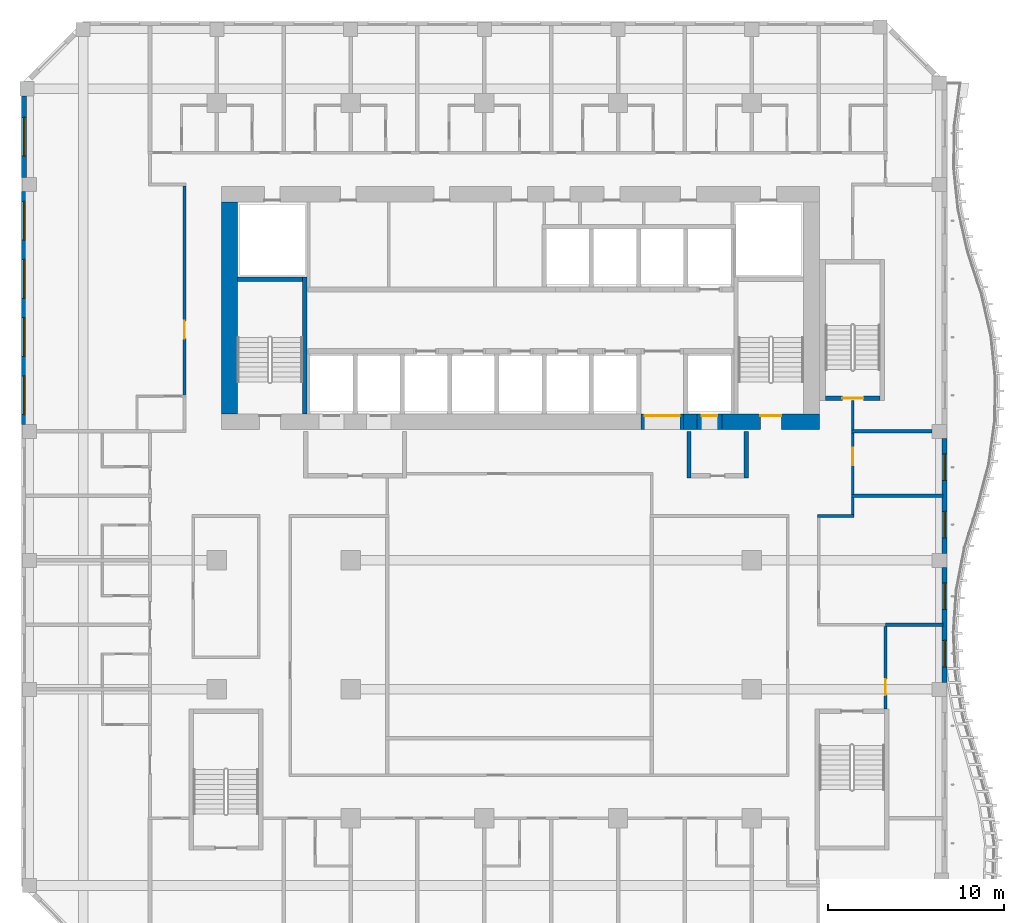
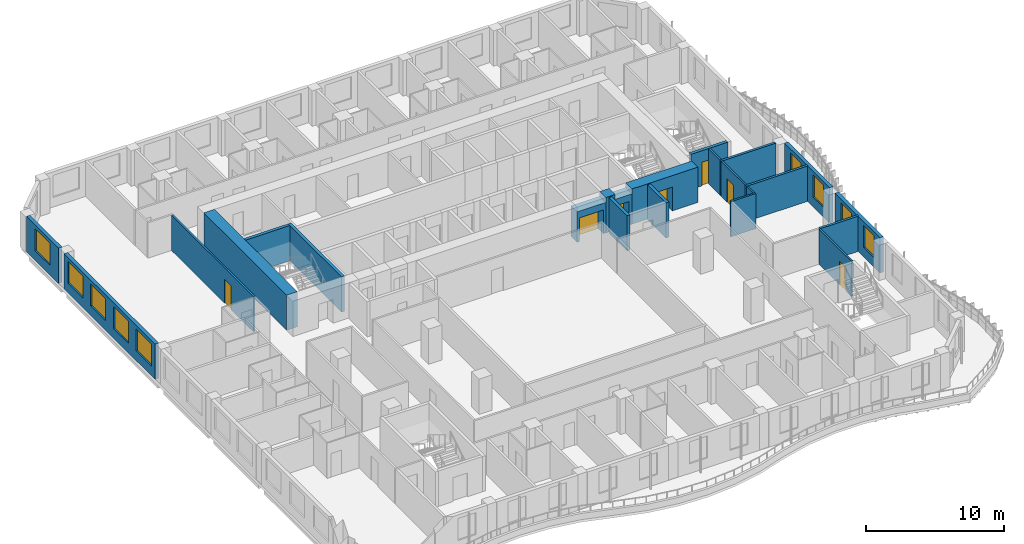
# One storey, part 6 of 23: 23 walls, 9 windows, 7 doors, 16 openings.
"""IFC4 building model written with IfcOpenShell, lengths in metres."""

from ifc_helpers import new_model, si_unit, direction, frame, frame_2d, origin, place, context, subcontext, project, spatial, rectangle, extrude, source, transform, mapped, material, layer, layer_set, type_object, element, fill, save


model = new_model("IFC4")

# Units and contexts
model_context = context("Model", 3, precision=1e-05, world=origin(), true_north=direction((0.0, 1.0)))
body_context = subcontext(model_context, "Body", "Model", "MODEL_VIEW")
ifc_project = project(units=[si_unit("LENGTHUNIT", "METRE"), si_unit("AREAUNIT", "SQUARE_METRE"), si_unit("VOLUMEUNIT", "CUBIC_METRE"), si_unit("PLANEANGLEUNIT", "RADIAN"), si_unit("MASSUNIT", "GRAM", prefix="KILO")], contexts=[model_context])

# Site, building, storey
site_placement = place(None, origin())
site = spatial("IfcSite", under=ifc_project, at=site_placement, CompositionType="ELEMENT")
building_placement = place(site_placement, origin())
building = spatial("IfcBuilding", under=site, at=building_placement, Name="Kilnfold Tower and Market Hall", CompositionType="ELEMENT")
storey_placement = place(building_placement, frame((0.0, 0.0, 150.699951171875)))
storey = spatial("IfcBuildingStorey", under=building, at=storey_placement, Name="L34", CompositionType="ELEMENT", Elevation=150.699951171875)

# Wall, opening, door
ifc_material_1 = material(Name="Gypsum board on steel studs", Category="steel")
ifc_layer_1 = layer(ifc_material_1, 0.14990234375)
ifc_layer_set_1 = layer_set([ifc_layer_1], Name="Gypsum board on steel studs")
wall_type_1 = type_object("IfcWallType", Name="WALL CORRIDOR 150", PredefinedType="PARTITIONING", material=ifc_layer_set_1)
wall_1_placement = place(storey_placement, frame((-18.0, 10.0400390625, 0.0), z_axis=(0.0, 0.0, 1.0), x_axis=(0.0, 1.0, 0.0)))
wall_1 = element("IfcWall", 1, at=wall_1_placement, inside=storey, type_object=wall_type_1, Name="Partition LY22.20", PredefinedType="PARTITIONING", context=body_context, shape_type="SweptSolid", body=[
    extrude(rectangle(XDim=11.885009765625, YDim=0.14990234375, at=frame_2d((5.9423828125, 0.0))), origin(), (0.0, 0.0, 1.0), 3.1201171875),
])
opening_1_placement = place(wall_1_placement, frame((3.22509765625, 0.0, 0.0)))
opening_1 = element("IfcOpeningElement", 2, at=opening_1_placement, cuts=wall_1, Name="Opening D1", PredefinedType="OPENING", context=body_context, shape_type="SweptSolid", body=[
    extrude(rectangle(XDim=1.0, YDim=2.10009765625, at=frame_2d((0.5, 1.050048828125))), frame((0.0, 0.0849609375, 0.0), z_axis=(0.0, -1.0, 0.0), x_axis=(1.0, 0.0, 0.0)), (0.0, 0.0, 1.0), 0.169921875),
])
ifc_material_2 = material(Name="Timber veneer door leaf in steel frame", Category="steel")
door_type_1 = type_object("IfcDoorType", Name="DOOR ENTRY 1000 X2100", OperationType="NOTDEFINED", PredefinedType="DOOR", material=ifc_material_2)
door_1_placement = place(opening_1_placement, origin())
door_1 = element("IfcDoor", 3, at=door_1_placement, inside=storey, type_object=door_type_1, Name="Door D1", OperationType="SINGLE_SWING_LEFT", OverallHeight=2.10009765625, OverallWidth=1.0, PredefinedType="DOOR", context=body_context, shape_type="SweptSolid", body=[
    extrude(rectangle(XDim=1.0, YDim=2.10009765625, at=frame_2d((0.5, 1.050048828125))), frame((0.0, 0.02490234375, 0.0), z_axis=(0.0, -1.0, 0.0), x_axis=(1.0, 0.0, 0.0)), (0.0, 0.0, 1.0), 0.050048828125),
])
fill(opening_1, door_1)

wall_2_placement = place(storey_placement, frame((19.89990234375, 4.43408203125, 0.0), z_axis=(0.0, 0.0, 1.0), x_axis=(0.0, 1.0, 0.0)))
wall_2 = element("IfcWall", 4, at=wall_2_placement, inside=storey, type_object=wall_type_1, Name="Partition LY22.27", PredefinedType="PARTITIONING", context=body_context, shape_type="SweptSolid", body=[
    extrude(rectangle(XDim=3.475830078125, YDim=0.14990234375, at=frame_2d((1.73779296875, 0.0))), origin(), (0.0, 0.0, 1.0), 3.1201171875),
])
opening_2_placement = place(wall_2_placement, frame((1.653076171875, 0.0, 0.0)))
opening_2 = element("IfcOpeningElement", 5, at=opening_2_placement, cuts=wall_2, Name="Opening D4", PredefinedType="OPENING", context=body_context, shape_type="SweptSolid", body=[
    extrude(rectangle(XDim=1.0, YDim=2.10009765625, at=frame_2d((0.5, 1.050048828125))), frame((0.0, 0.0849609375, 0.0), z_axis=(0.0, -1.0, 0.0), x_axis=(1.0, 0.0, 0.0)), (0.0, 0.0, 1.0), 0.169921875),
])
ifc_material_3 = material(Name="Timber veneer door leaf in steel frame", Category="steel")
door_type_2 = type_object("IfcDoorType", Name="DOOR SERVICE 1000 X2100", OperationType="NOTDEFINED", PredefinedType="DOOR", material=ifc_material_3)
door_2_placement = place(opening_2_placement, origin())
door_2 = element("IfcDoor", 6, at=door_2_placement, inside=storey, type_object=door_type_2, Name="Door D4", OperationType="SINGLE_SWING_LEFT", OverallHeight=2.10009765625, OverallWidth=1.0, PredefinedType="DOOR", context=body_context, shape_type="SweptSolid", body=[
    extrude(rectangle(XDim=1.0, YDim=2.10009765625, at=frame_2d((0.5, 1.050048828125))), frame((0.0, 0.02490234375, 0.0), z_axis=(0.0, -1.0, 0.0), x_axis=(1.0, 0.0, 0.0)), (0.0, 0.0, 1.0), 0.050048828125),
])
fill(opening_2, door_2)

# Walls
wall_3_placement = place(storey_placement, frame((19.89990234375, 8.090087890625, 0.0), z_axis=(0.0, 0.0, 1.0), x_axis=(0.0, 1.0, 0.0)))
element("IfcWall", 7, at=wall_3_placement, inside=storey, type_object=wall_type_1, Name="Partition LY22.30", PredefinedType="PARTITIONING", context=body_context, shape_type="SweptSolid", body=[
    extrude(rectangle(XDim=1.659912109375, YDim=0.14990234375, at=frame_2d((0.830078125, 0.0))), origin(), (0.0, 0.0, 1.0), 3.1201171875),
])
wall_4_placement = place(storey_placement, frame((19.89990234375, 3.27490234375, 0.0), z_axis=(0.0, 0.0, 1.0), x_axis=(0.0, 1.0, 0.0)))
element("IfcWall", 8, at=wall_4_placement, inside=storey, type_object=wall_type_1, Name="Partition LY22.31", PredefinedType="PARTITIONING", context=body_context, shape_type="SweptSolid", body=[
    extrude(rectangle(XDim=0.97900390625, YDim=0.14990234375, at=frame_2d((0.489501953125, 0.0))), origin(), (0.0, 0.0, 1.0), 3.1201171875),
])
wall_5_placement = place(storey_placement, frame((17.884033203125, 3.199951171875, 0.0), z_axis=(0.0, 0.0, 1.0), x_axis=(1.0, 0.0, 0.0)))
element("IfcWall", 9, at=wall_5_placement, inside=storey, type_object=wall_type_1, Name="Partition LY22.32", PredefinedType="PARTITIONING", context=body_context, shape_type="SweptSolid", body=[
    extrude(rectangle(XDim=2.091064453125, YDim=0.14990234375, at=frame_2d((1.04541015625, 0.0))), origin(), (0.0, 0.0, 1.0), 3.1201171875),
])

# Wall, opening, door
wall_6_placement = place(storey_placement, frame((21.75, -7.75, 0.0), z_axis=(0.0, 0.0, 1.0), x_axis=(0.0, 1.0, 0.0)))
wall_6 = element("IfcWall", 10, at=wall_6_placement, inside=storey, type_object=wall_type_1, Name="Partition LY22.35", PredefinedType="PARTITIONING", context=body_context, shape_type="SweptSolid", body=[
    extrude(rectangle(XDim=4.681884765625, YDim=0.14990234375, at=frame_2d((2.3408203125, 0.0))), origin(), (0.0, 0.0, 1.0), 3.1201171875),
])
opening_3_placement = place(wall_6_placement, frame((0.801025390625, 0.0, 0.0)))
opening_3 = element("IfcOpeningElement", 11, at=opening_3_placement, cuts=wall_6, Name="Opening D2", PredefinedType="OPENING", context=body_context, shape_type="SweptSolid", body=[
    extrude(rectangle(XDim=0.89990234375, YDim=2.10009765625, at=frame_2d((0.449951171875, 1.050048828125))), frame((0.0, 0.0849609375, 0.0), z_axis=(0.0, -1.0, 0.0), x_axis=(1.0, 0.0, 0.0)), (0.0, 0.0, 1.0), 0.169921875),
])
ifc_material_4 = material(Name="Timber veneer door leaf in steel frame", Category="steel")
door_type_3 = type_object("IfcDoorType", Name="DOOR ROOM 900 X2100", OperationType="NOTDEFINED", PredefinedType="DOOR", material=ifc_material_4)
door_3_placement = place(opening_3_placement, origin())
door_3 = element("IfcDoor", 12, at=door_3_placement, inside=storey, type_object=door_type_3, Name="Door D2", OperationType="SINGLE_SWING_LEFT", OverallHeight=2.10009765625, OverallWidth=0.89990234375, PredefinedType="DOOR", context=body_context, shape_type="SweptSolid", body=[
    extrude(rectangle(XDim=0.89990234375, YDim=2.10009765625, at=frame_2d((0.449951171875, 1.050048828125))), frame((0.0, 0.02490234375, 0.0), z_axis=(0.0, -1.0, 0.0), x_axis=(1.0, 0.0, 0.0)), (0.0, 0.0, 1.0), 0.050048828125),
])
fill(opening_3, door_3)

# Walls
ifc_material_5 = material(Name="Gypsum board on steel studs", Category="steel")
ifc_layer_2 = layer(ifc_material_5, 0.199951171875)
ifc_layer_set_2 = layer_set([ifc_layer_2], Name="Gypsum board on steel studs")
wall_type_2 = type_object("IfcWallType", Name="WALL PARTY 200", PredefinedType="PARTITIONING", material=ifc_layer_set_2)
wall_7_placement = place(storey_placement, frame((19.826904296875, 8.0, 0.0), z_axis=(0.0, 0.0, 1.0), x_axis=(1.0, 0.0, 0.0)))
element("IfcWall", 13, at=wall_7_placement, inside=storey, type_object=wall_type_2, Name="Partition LY22.126", PredefinedType="PARTITIONING", context=body_context, shape_type="SweptSolid", body=[
    extrude(rectangle(XDim=4.572998046875, YDim=0.199951171875, at=frame_2d((2.28662109375, 0.0))), origin(), (0.0, 0.0, 1.0), 3.1201171875),
])
wall_8_placement = place(storey_placement, frame((19.826904296875, 4.343994140625, 0.0), z_axis=(0.0, 0.0, 1.0), x_axis=(1.0, 0.0, 0.0)))
element("IfcWall", 14, at=wall_8_placement, inside=storey, type_object=wall_type_2, Name="Partition LY22.127", PredefinedType="PARTITIONING", context=body_context, shape_type="SweptSolid", body=[
    extrude(rectangle(XDim=5.173095703125, YDim=0.199951171875, at=frame_2d((2.58642578125, 0.0))), origin(), (0.0, 0.0, 1.0), 3.1201171875),
])
wall_9_placement = place(storey_placement, frame((21.7509765625, -2.968017578125, 0.0), z_axis=(0.0, 0.0, 1.0), x_axis=(0.999999954829, -0.000300571071, 0.0)))
element("IfcWall", 15, at=wall_9_placement, inside=storey, type_object=wall_type_2, Name="Partition LY22.128", PredefinedType="PARTITIONING", context=body_context, shape_type="SweptSolid", body=[
    extrude(rectangle(XDim=3.2490234375, YDim=0.199951171875, at=frame_2d((1.62451171875, 0.0))), origin(), (0.0, 0.0, 1.0), 3.1201171875),
])
ifc_material_6 = material(Name="Concrete C70", Category="concrete")
ifc_layer_3 = layer(ifc_material_6, 0.89990234375)
ifc_layer_set_3 = layer_set([ifc_layer_3], Name="Concrete C70")
wall_type_3 = type_object("IfcWallType", Name="CORE WALL 900 C70", PredefinedType="SHEAR", material=ifc_layer_set_3)
shared_shape_1 = source(origin(), body_context, "Body", "SweptSolid", [
    extrude(rectangle(XDim=0.780029296875, YDim=0.89990234375, at=frame_2d((0.39013671875, 0.0))), origin(), (0.0, 0.0, 1.0), 3.1201171875),
])
wall_10_placement = place(storey_placement, frame((10.2900390625, 8.550048828125, 0.0), z_axis=(0.0, 0.0, 1.0), x_axis=(1.0, 0.0, 0.0)))
element("IfcWall", 16, at=wall_10_placement, inside=storey, type_object=wall_type_3, Name="Core outer wall south", PredefinedType="SHEAR", context=body_context, shape_type="MappedRepresentation", body=[
    mapped(shared_shape_1, transform((0.0, 0.0, 0.0))),
])

# Wall, opening, door
shared_shape_2 = source(origin(), body_context, "Body", "SweptSolid", [
    extrude(rectangle(XDim=5.530029296875, YDim=0.89990234375, at=frame_2d((2.76513671875, 0.0))), origin(), (0.0, 0.0, 1.0), 3.1201171875),
])
wall_11_placement = place(storey_placement, frame((12.469970703125, 8.550048828125, 0.0), z_axis=(0.0, 0.0, 1.0), x_axis=(1.0, 0.0, 0.0)))
wall_11 = element("IfcWall", 17, at=wall_11_placement, inside=storey, type_object=wall_type_3, Name="Core outer wall south", PredefinedType="SHEAR", context=body_context, shape_type="MappedRepresentation", body=[
    mapped(shared_shape_2, transform((0.0, 0.0, 0.0))),
])
opening_4_placement = place(wall_11_placement, frame((2.179931640625, 0.0, 0.0)))
opening_4 = element("IfcOpeningElement", 18, at=opening_4_placement, cuts=wall_11, Name="Opening SD1", PredefinedType="OPENING", context=body_context, shape_type="SweptSolid", body=[
    extrude(rectangle(XDim=1.199951171875, YDim=2.10009765625, at=frame_2d((0.60009765625, 1.050048828125))), frame((0.0, 0.4599609375, 0.0), z_axis=(0.0, -1.0, 0.0), x_axis=(1.0, 0.0, 0.0)), (0.0, 0.0, 1.0), 0.919921875),
])
ifc_material_7 = material(Name="Steel door set with fire-resisting leaf", Category="steel")
door_type_4 = type_object("IfcDoorType", Name="STAIR FLOOR DOOR 1200X2100", OperationType="NOTDEFINED", PredefinedType="DOOR", material=ifc_material_7)
door_4_placement = place(opening_4_placement, origin())
door_4 = element("IfcDoor", 19, at=door_4_placement, inside=storey, type_object=door_type_4, Name="Exit stair ST2 door", OperationType="DOUBLE_DOOR_SINGLE_SWING", OverallHeight=2.10009765625, OverallWidth=1.199951171875, PredefinedType="DOOR", context=body_context, shape_type="SweptSolid", body=[
    extrude(rectangle(XDim=1.199951171875, YDim=2.10009765625, at=frame_2d((0.60009765625, 1.050048828125))), frame((0.0, 0.35498046875, 0.0), z_axis=(0.0, -1.0, 0.0), x_axis=(1.0, 0.0, 0.0)), (0.0, 0.0, 1.0), 0.050048828125),
])
fill(opening_4, door_4)

# Walls
shared_shape_3 = source(origin(), body_context, "Body", "SweptSolid", [
    extrude(rectangle(XDim=12.0, YDim=0.89990234375, at=frame_2d((6.0, 0.0))), origin(), (0.0, 0.0, 1.0), 3.1201171875),
])
wall_12_placement = place(storey_placement, frame((-15.449951171875, 9.0, 0.0), z_axis=(0.0, 0.0, 1.0), x_axis=(0.0, 1.0, 0.0)))
element("IfcWall", 20, at=wall_12_placement, inside=storey, type_object=wall_type_3, Name="Core outer wall west", PredefinedType="SHEAR", context=body_context, shape_type="MappedRepresentation", body=[
    mapped(shared_shape_3, transform((0.0, 0.0, 0.0))),
])
ifc_material_8 = material(Name="Concrete C70", Category="concrete")
ifc_layer_4 = layer(ifc_material_8, 0.25)
ifc_layer_set_4 = layer_set([ifc_layer_4], Name="Concrete C70")
wall_type_4 = type_object("IfcWallType", Name="CORE WALL 250 C70", PredefinedType="SHEAR", material=ifc_layer_set_4)
shared_shape_4 = source(origin(), body_context, "Body", "SweptSolid", [
    extrude(rectangle(XDim=7.75, YDim=0.25, at=frame_2d((3.875, 0.0))), origin(), (0.0, 0.0, 1.0), 3.1201171875),
])
wall_13_placement = place(storey_placement, frame((-11.175048828125, 9.0, 0.0), z_axis=(0.0, 0.0, 1.0), x_axis=(0.0, 1.0, 0.0)))
element("IfcWall", 21, at=wall_13_placement, inside=storey, type_object=wall_type_4, Name="Stair enclosure ST1", PredefinedType="SHEAR", context=body_context, shape_type="MappedRepresentation", body=[
    mapped(shared_shape_4, transform((0.0, 0.0, 0.0))),
])
shared_shape_5 = source(origin(), body_context, "Body", "SweptSolid", [
    extrude(rectangle(XDim=3.699951171875, YDim=0.25, at=frame_2d((1.85009765625, 0.0))), origin(), (0.0, 0.0, 1.0), 3.1201171875),
])
wall_14_placement = place(storey_placement, frame((-15.0, 16.625, 0.0), z_axis=(0.0, 0.0, 1.0), x_axis=(1.0, 0.0, 0.0)))
element("IfcWall", 22, at=wall_14_placement, inside=storey, type_object=wall_type_4, Name="Stair enclosure ST1", PredefinedType="SHEAR", context=body_context, shape_type="MappedRepresentation", body=[
    mapped(shared_shape_5, transform((0.0, 0.0, 0.0))),
])

# Wall, opening, door
shared_shape_6 = source(origin(), body_context, "Body", "SweptSolid", [
    extrude(rectangle(XDim=3.099853515625, YDim=0.25, at=frame_2d((1.5498046875, 0.0))), origin(), (0.0, 0.0, 1.0), 3.1201171875),
])
wall_15_placement = place(storey_placement, frame((18.35009765625, 9.875, 0.0), z_axis=(0.0, 0.0, 1.0), x_axis=(1.0, 0.0, 0.0)))
wall_15 = element("IfcWall", 23, at=wall_15_placement, inside=storey, type_object=wall_type_4, Name="Stair enclosure ST5", PredefinedType="SHEAR", context=body_context, shape_type="MappedRepresentation", body=[
    mapped(shared_shape_6, transform((0.0, 0.0, 0.0))),
])
opening_5_placement = place(wall_15_placement, frame((0.949951171875, 0.0, 0.0)))
opening_5 = element("IfcOpeningElement", 24, at=opening_5_placement, cuts=wall_15, Name="Opening SD1", PredefinedType="OPENING", context=body_context, shape_type="SweptSolid", body=[
    extrude(rectangle(XDim=1.199951171875, YDim=2.10009765625, at=frame_2d((0.60009765625, 1.050048828125))), frame((0.0, 0.135009765625, 0.0), z_axis=(0.0, -1.0, 0.0), x_axis=(1.0, 0.0, 0.0)), (0.0, 0.0, 1.0), 0.27001953125),
])
door_5_placement = place(opening_5_placement, origin())
door_5 = element("IfcDoor", 25, at=door_5_placement, inside=storey, type_object=door_type_4, Name="Exit stair ST5 door", OperationType="DOUBLE_DOOR_SINGLE_SWING", OverallHeight=2.10009765625, OverallWidth=1.199951171875, PredefinedType="DOOR", context=body_context, shape_type="SweptSolid", body=[
    extrude(rectangle(XDim=1.199951171875, YDim=2.10009765625, at=frame_2d((0.60009765625, 1.050048828125))), frame((0.0, 0.02490234375, 0.0), z_axis=(0.0, -1.0, 0.0), x_axis=(1.0, 0.0, 0.0)), (0.0, 0.0, 1.0), 0.050048828125),
])
fill(opening_5, door_5)

# Wall, openings, windows
ifc_material_9 = material(Name="Precast concrete C50/60", Category="concrete")
ifc_layer_5 = layer(ifc_material_9, 0.300048828125)
ifc_layer_set_5 = layer_set([ifc_layer_5], Name="Precast concrete C50/60")
wall_type_5 = type_object("IfcWallType", Name="PRECAST WALL 300", PredefinedType="SOLIDWALL", material=ifc_layer_set_5)
shared_shape_7 = source(origin(), body_context, "Body", "SweptSolid", [
    extrude(rectangle(XDim=6.5126953125, YDim=0.300048828125, at=frame_2d((3.25634765625, 0.0))), origin(), (0.0, 0.0, 1.0), 3.1201171875),
])
wall_16_placement = place(storey_placement, frame((25.10009765625, -6.22509765625, 0.0), z_axis=(0.0, 0.0, 1.0), x_axis=(0.0, 1.0, 0.0)))
wall_16 = element("IfcWall", 26, at=wall_16_placement, inside=storey, type_object=wall_type_5, Name="External wall L34 E", PredefinedType="SOLIDWALL", context=body_context, shape_type="MappedRepresentation", body=[
    mapped(shared_shape_7, transform((0.0, 0.0, 0.0))),
])
opening_6_placement = place(wall_16_placement, frame((0.878173828125, 0.0, 0.85009765625)))
opening_6 = element("IfcOpeningElement", 27, at=opening_6_placement, cuts=wall_16, Name="Opening W4", PredefinedType="OPENING", context=body_context, shape_type="SweptSolid", body=[
    extrude(rectangle(XDim=1.5, YDim=1.949951171875, at=frame_2d((0.75, 0.97509765625))), frame((0.0, 0.16015625, 0.0), z_axis=(0.0, -1.0, 0.0), x_axis=(1.0, 0.0, 0.0)), (0.0, 0.0, 1.0), 0.320068359375),
])
opening_7_placement = place(wall_16_placement, frame((4.134521484375, 0.0, 0.85009765625)))
opening_7 = element("IfcOpeningElement", 28, at=opening_7_placement, cuts=wall_16, Name="Opening W4", PredefinedType="OPENING", context=body_context, shape_type="SweptSolid", body=[
    extrude(rectangle(XDim=1.5, YDim=1.949951171875, at=frame_2d((0.75, 0.97509765625))), frame((0.0, 0.16015625, 0.0), z_axis=(0.0, -1.0, 0.0), x_axis=(1.0, 0.0, 0.0)), (0.0, 0.0, 1.0), 0.320068359375),
])
ifc_material_10 = material(Name="Aluminium frame and double glazing", Category="aluminium")
window_type_1 = type_object("IfcWindowType", Name="WINDOW W4 1500X1950", PartitioningType="SINGLE_PANEL", PredefinedType="WINDOW", material=ifc_material_10)
window_1_placement = place(opening_6_placement, origin())
window_1 = element("IfcWindow", 29, at=window_1_placement, inside=storey, type_object=window_type_1, Name="Window W4 L34 E-1", OverallHeight=1.949951171875, OverallWidth=1.5, PartitioningType="SINGLE_PANEL", PredefinedType="WINDOW", context=body_context, shape_type="SweptSolid", body=[
    extrude(rectangle(XDim=1.5, YDim=1.949951171875, at=frame_2d((0.75, 0.97509765625))), frame((0.0, 0.030029296875, 0.0), z_axis=(0.0, -1.0, 0.0), x_axis=(1.0, 0.0, 0.0)), (0.0, 0.0, 1.0), 0.06005859375),
])
fill(opening_6, window_1)
window_2_placement = place(opening_7_placement, origin())
window_2 = element("IfcWindow", 30, at=window_2_placement, inside=storey, type_object=window_type_1, Name="Window W4 L34 E-2", OverallHeight=1.949951171875, OverallWidth=1.5, PartitioningType="SINGLE_PANEL", PredefinedType="WINDOW", context=body_context, shape_type="SweptSolid", body=[
    extrude(rectangle(XDim=1.5, YDim=1.949951171875, at=frame_2d((0.75, 0.97509765625))), frame((0.0, 0.030029296875, 0.0), z_axis=(0.0, -1.0, 0.0), x_axis=(1.0, 0.0, 0.0)), (0.0, 0.0, 1.0), 0.06005859375),
])
fill(opening_7, window_2)

wall_17_placement = place(storey_placement, frame((25.10009765625, 1.08740234375, 0.0), z_axis=(0.0, 0.0, 1.0), x_axis=(0.0, 1.0, 0.0)))
wall_17 = element("IfcWall", 31, at=wall_17_placement, inside=storey, type_object=wall_type_5, Name="External wall L34 E", PredefinedType="SOLIDWALL", context=body_context, shape_type="MappedRepresentation", body=[
    mapped(shared_shape_7, transform((0.0, 0.0, 0.0))),
])
opening_8_placement = place(wall_17_placement, frame((0.878173828125, 0.0, 0.85009765625)))
opening_8 = element("IfcOpeningElement", 32, at=opening_8_placement, cuts=wall_17, Name="Opening W4", PredefinedType="OPENING", context=body_context, shape_type="SweptSolid", body=[
    extrude(rectangle(XDim=1.5, YDim=1.949951171875, at=frame_2d((0.75, 0.97509765625))), frame((0.0, 0.16015625, 0.0), z_axis=(0.0, -1.0, 0.0), x_axis=(1.0, 0.0, 0.0)), (0.0, 0.0, 1.0), 0.320068359375),
])
opening_9_placement = place(wall_17_placement, frame((4.134521484375, 0.0, 0.85009765625)))
opening_9 = element("IfcOpeningElement", 33, at=opening_9_placement, cuts=wall_17, Name="Opening W4", PredefinedType="OPENING", context=body_context, shape_type="SweptSolid", body=[
    extrude(rectangle(XDim=1.5, YDim=1.949951171875, at=frame_2d((0.75, 0.97509765625))), frame((0.0, 0.16015625, 0.0), z_axis=(0.0, -1.0, 0.0), x_axis=(1.0, 0.0, 0.0)), (0.0, 0.0, 1.0), 0.320068359375),
])
window_3_placement = place(opening_8_placement, origin())
window_3 = element("IfcWindow", 34, at=window_3_placement, inside=storey, type_object=window_type_1, Name="Window W4 L34 E-1", OverallHeight=1.949951171875, OverallWidth=1.5, PartitioningType="SINGLE_PANEL", PredefinedType="WINDOW", context=body_context, shape_type="SweptSolid", body=[
    extrude(rectangle(XDim=1.5, YDim=1.949951171875, at=frame_2d((0.75, 0.97509765625))), frame((0.0, 0.030029296875, 0.0), z_axis=(0.0, -1.0, 0.0), x_axis=(1.0, 0.0, 0.0)), (0.0, 0.0, 1.0), 0.06005859375),
])
fill(opening_8, window_3)
window_4_placement = place(opening_9_placement, origin())
window_4 = element("IfcWindow", 35, at=window_4_placement, inside=storey, type_object=window_type_1, Name="Window W4 L34 E-2", OverallHeight=1.949951171875, OverallWidth=1.5, PartitioningType="SINGLE_PANEL", PredefinedType="WINDOW", context=body_context, shape_type="SweptSolid", body=[
    extrude(rectangle(XDim=1.5, YDim=1.949951171875, at=frame_2d((0.75, 0.97509765625))), frame((0.0, 0.030029296875, 0.0), z_axis=(0.0, -1.0, 0.0), x_axis=(1.0, 0.0, 0.0)), (0.0, 0.0, 1.0), 0.06005859375),
])
fill(opening_9, window_4)

shared_shape_8 = source(origin(), body_context, "Body", "SweptSolid", [
    extrude(rectangle(XDim=13.2001953125, YDim=0.300048828125, at=frame_2d((6.60009765625, 0.0))), origin(), (0.0, 0.0, 1.0), 3.1201171875),
])
wall_18_placement = place(storey_placement, frame((-27.10009765625, 21.60009765625, 0.0), z_axis=(0.0, 0.0, 1.0), x_axis=(0.0, -1.0, 0.0)))
wall_18 = element("IfcWall", 36, at=wall_18_placement, inside=storey, type_object=wall_type_5, Name="External wall L34 W", PredefinedType="SOLIDWALL", context=body_context, shape_type="MappedRepresentation", body=[
    mapped(shared_shape_8, transform((0.0, 0.0, 0.0))),
])
opening_10_placement = place(wall_18_placement, frame((0.550048828125, 0.0, 0.85009765625)))
opening_10 = element("IfcOpeningElement", 37, at=opening_10_placement, cuts=wall_18, Name="Opening W2", PredefinedType="OPENING", context=body_context, shape_type="SweptSolid", body=[
    extrude(rectangle(XDim=2.199951171875, YDim=1.949951171875, at=frame_2d((1.10009765625, 0.97509765625))), frame((0.0, 0.16015625, 0.0), z_axis=(0.0, -1.0, 0.0), x_axis=(1.0, 0.0, 0.0)), (0.0, 0.0, 1.0), 0.320068359375),
])
opening_11_placement = place(wall_18_placement, frame((3.85009765625, 0.0, 0.85009765625)))
opening_11 = element("IfcOpeningElement", 38, at=opening_11_placement, cuts=wall_18, Name="Opening W2", PredefinedType="OPENING", context=body_context, shape_type="SweptSolid", body=[
    extrude(rectangle(XDim=2.199951171875, YDim=1.949951171875, at=frame_2d((1.10009765625, 0.97509765625))), frame((0.0, 0.16015625, 0.0), z_axis=(0.0, -1.0, 0.0), x_axis=(1.0, 0.0, 0.0)), (0.0, 0.0, 1.0), 0.320068359375),
])
opening_12_placement = place(wall_18_placement, frame((7.14990234375, 0.0, 0.85009765625)))
opening_12 = element("IfcOpeningElement", 39, at=opening_12_placement, cuts=wall_18, Name="Opening W2", PredefinedType="OPENING", context=body_context, shape_type="SweptSolid", body=[
    extrude(rectangle(XDim=2.199951171875, YDim=1.949951171875, at=frame_2d((1.10009765625, 0.97509765625))), frame((0.0, 0.16015625, 0.0), z_axis=(0.0, -1.0, 0.0), x_axis=(1.0, 0.0, 0.0)), (0.0, 0.0, 1.0), 0.320068359375),
])
opening_13_placement = place(wall_18_placement, frame((10.449951171875, 0.0, 0.85009765625)))
opening_13 = element("IfcOpeningElement", 40, at=opening_13_placement, cuts=wall_18, Name="Opening W2", PredefinedType="OPENING", context=body_context, shape_type="SweptSolid", body=[
    extrude(rectangle(XDim=2.199951171875, YDim=1.949951171875, at=frame_2d((1.10009765625, 0.97509765625))), frame((0.0, 0.16015625, 0.0), z_axis=(0.0, -1.0, 0.0), x_axis=(1.0, 0.0, 0.0)), (0.0, 0.0, 1.0), 0.320068359375),
])
ifc_material_11 = material(Name="Aluminium frame and double glazing", Category="aluminium")
window_type_2 = type_object("IfcWindowType", Name="WINDOW W2 2200X1950", PartitioningType="SINGLE_PANEL", PredefinedType="WINDOW", material=ifc_material_11)
window_5_placement = place(opening_10_placement, origin())
window_5 = element("IfcWindow", 41, at=window_5_placement, inside=storey, type_object=window_type_2, Name="Window W2 L34 W-1", OverallHeight=1.949951171875, OverallWidth=2.199951171875, PartitioningType="SINGLE_PANEL", PredefinedType="WINDOW", context=body_context, shape_type="SweptSolid", body=[
    extrude(rectangle(XDim=2.199951171875, YDim=1.949951171875, at=frame_2d((1.10009765625, 0.97509765625))), frame((0.0, 0.030029296875, 0.0), z_axis=(0.0, -1.0, 0.0), x_axis=(1.0, 0.0, 0.0)), (0.0, 0.0, 1.0), 0.06005859375),
])
fill(opening_10, window_5)
window_6_placement = place(opening_11_placement, origin())
window_6 = element("IfcWindow", 42, at=window_6_placement, inside=storey, type_object=window_type_2, Name="Window W2 L34 W-2", OverallHeight=1.949951171875, OverallWidth=2.199951171875, PartitioningType="SINGLE_PANEL", PredefinedType="WINDOW", context=body_context, shape_type="SweptSolid", body=[
    extrude(rectangle(XDim=2.199951171875, YDim=1.949951171875, at=frame_2d((1.10009765625, 0.97509765625))), frame((0.0, 0.030029296875, 0.0), z_axis=(0.0, -1.0, 0.0), x_axis=(1.0, 0.0, 0.0)), (0.0, 0.0, 1.0), 0.06005859375),
])
fill(opening_11, window_6)
window_7_placement = place(opening_12_placement, origin())
window_7 = element("IfcWindow", 43, at=window_7_placement, inside=storey, type_object=window_type_2, Name="Window W2 L34 W-3", OverallHeight=1.949951171875, OverallWidth=2.199951171875, PartitioningType="SINGLE_PANEL", PredefinedType="WINDOW", context=body_context, shape_type="SweptSolid", body=[
    extrude(rectangle(XDim=2.199951171875, YDim=1.949951171875, at=frame_2d((1.10009765625, 0.97509765625))), frame((0.0, 0.030029296875, 0.0), z_axis=(0.0, -1.0, 0.0), x_axis=(1.0, 0.0, 0.0)), (0.0, 0.0, 1.0), 0.06005859375),
])
fill(opening_12, window_7)
window_8_placement = place(opening_13_placement, origin())
window_8 = element("IfcWindow", 44, at=window_8_placement, inside=storey, type_object=window_type_2, Name="Window W2 L34 W-4", OverallHeight=1.949951171875, OverallWidth=2.199951171875, PartitioningType="SINGLE_PANEL", PredefinedType="WINDOW", context=body_context, shape_type="SweptSolid", body=[
    extrude(rectangle(XDim=2.199951171875, YDim=1.949951171875, at=frame_2d((1.10009765625, 0.97509765625))), frame((0.0, 0.030029296875, 0.0), z_axis=(0.0, -1.0, 0.0), x_axis=(1.0, 0.0, 0.0)), (0.0, 0.0, 1.0), 0.06005859375),
])
fill(opening_13, window_8)

# Wall, opening, window
shared_shape_9 = source(origin(), body_context, "Body", "SweptSolid", [
    extrude(rectangle(XDim=4.6318359375, YDim=0.300048828125, at=frame_2d((2.31591796875, 0.0))), origin(), (0.0, 0.0, 1.0), 3.1201171875),
])
wall_19_placement = place(storey_placement, frame((-27.10009765625, 27.03173828125, 0.0), z_axis=(0.0, 0.0, 1.0), x_axis=(0.0, -1.0, 0.0)))
wall_19 = element("IfcWall", 45, at=wall_19_placement, inside=storey, type_object=wall_type_5, Name="External wall L34 W", PredefinedType="SOLIDWALL", context=body_context, shape_type="MappedRepresentation", body=[
    mapped(shared_shape_9, transform((0.0, 0.0, 0.0))),
])
opening_14_placement = place(wall_19_placement, frame((1.2158203125, 0.0, 0.85009765625)))
opening_14 = element("IfcOpeningElement", 46, at=opening_14_placement, cuts=wall_19, Name="Opening W2", PredefinedType="OPENING", context=body_context, shape_type="SweptSolid", body=[
    extrude(rectangle(XDim=2.199951171875, YDim=1.949951171875, at=frame_2d((1.10009765625, 0.97509765625))), frame((0.0, 0.16015625, 0.0), z_axis=(0.0, -1.0, 0.0), x_axis=(1.0, 0.0, 0.0)), (0.0, 0.0, 1.0), 0.320068359375),
])
window_9_placement = place(opening_14_placement, origin())
window_9 = element("IfcWindow", 47, at=window_9_placement, inside=storey, type_object=window_type_2, Name="Window W2 L34 W-1", OverallHeight=1.949951171875, OverallWidth=2.199951171875, PartitioningType="SINGLE_PANEL", PredefinedType="WINDOW", context=body_context, shape_type="SweptSolid", body=[
    extrude(rectangle(XDim=2.199951171875, YDim=1.949951171875, at=frame_2d((1.10009765625, 0.97509765625))), frame((0.0, 0.030029296875, 0.0), z_axis=(0.0, -1.0, 0.0), x_axis=(1.0, 0.0, 0.0)), (0.0, 0.0, 1.0), 0.06005859375),
])
fill(opening_14, window_9)

# Wall, opening, door
ifc_material_12 = material(Name="Gypsum shaft wall system")
ifc_layer_6 = layer(ifc_material_12, 0.89990234375)
ifc_layer_set_6 = layer_set([ifc_layer_6], Name="Gypsum shaft wall system")
wall_type_6 = type_object("IfcWallType", Name="LOBBY WALL 900", PredefinedType="PARTITIONING", material=ifc_layer_set_6)
shared_shape_10 = source(origin(), body_context, "Body", "SweptSolid", [
    extrude(rectangle(XDim=1.39990234375, YDim=0.89990234375, at=frame_2d((0.699951171875, 0.0))), origin(), (0.0, 0.0, 1.0), 2.699951171875),
])
wall_20_placement = place(storey_placement, frame((11.070068359375, 8.550048828125, 0.0), z_axis=(0.0, 0.0, 1.0), x_axis=(1.0, 0.0, 0.0)))
wall_20 = element("IfcWall", 48, at=wall_20_placement, inside=storey, type_object=wall_type_6, Name="Core wall infill", PredefinedType="PARTITIONING", context=body_context, shape_type="MappedRepresentation", body=[
    mapped(shared_shape_10, transform((0.0, 0.0, 0.0))),
])
opening_15_placement = place(wall_20_placement, frame((0.25, 0.0, 0.0)))
opening_15 = element("IfcOpeningElement", 49, at=opening_15_placement, cuts=wall_20, Name="Opening LD1", PredefinedType="OPENING", context=body_context, shape_type="SweptSolid", body=[
    extrude(rectangle(XDim=0.89990234375, YDim=2.10009765625, at=frame_2d((0.449951171875, 1.050048828125))), frame((0.0, 0.4599609375, 0.0), z_axis=(0.0, -1.0, 0.0), x_axis=(1.0, 0.0, 0.0)), (0.0, 0.0, 1.0), 0.919921875),
])
ifc_material_13 = material(Name="Steel door set with fire-resisting leaf", Category="steel")
door_type_5 = type_object("IfcDoorType", Name="FIREFIGHTING LANDING DOOR 900X2100", OperationType="NOTDEFINED", PredefinedType="DOOR", material=ifc_material_13)
door_6_placement = place(opening_15_placement, origin())
door_6 = element("IfcDoor", 50, at=door_6_placement, inside=storey, type_object=door_type_5, Name="Landing door FF3", OperationType="SLIDING_TO_LEFT", OverallHeight=2.10009765625, OverallWidth=0.89990234375, PredefinedType="DOOR", context=body_context, shape_type="SweptSolid", body=[
    extrude(rectangle(XDim=0.89990234375, YDim=2.10009765625, at=frame_2d((0.449951171875, 1.050048828125))), frame((0.0, 0.35498046875, 0.0), z_axis=(0.0, -1.0, 0.0), x_axis=(1.0, 0.0, 0.0)), (0.0, 0.0, 1.0), 0.050048828125),
])
fill(opening_15, door_6)

shared_shape_11 = source(origin(), body_context, "Body", "SweptSolid", [
    extrude(rectangle(XDim=2.400146484375, YDim=0.89990234375, at=frame_2d((1.2001953125, 0.0))), origin(), (0.0, 0.0, 1.0), 2.699951171875),
])
wall_21_placement = place(storey_placement, frame((7.889892578125, 8.550048828125, 0.0), z_axis=(0.0, 0.0, 1.0), x_axis=(1.0, 0.0, 0.0)))
wall_21 = element("IfcWall", 51, at=wall_21_placement, inside=storey, type_object=wall_type_6, Name="Core wall infill", PredefinedType="PARTITIONING", context=body_context, shape_type="MappedRepresentation", body=[
    mapped(shared_shape_11, transform((0.0, 0.0, 0.0))),
])
opening_16_placement = place(wall_21_placement, frame((0.199951171875, 0.0, 0.0)))
opening_16 = element("IfcOpeningElement", 52, at=opening_16_placement, cuts=wall_21, Name="Opening VD2", PredefinedType="OPENING", context=body_context, shape_type="SweptSolid", body=[
    extrude(rectangle(XDim=2.0, YDim=2.10009765625, at=frame_2d((1.0, 1.050048828125))), frame((0.0, 0.4599609375, 0.0), z_axis=(0.0, -1.0, 0.0), x_axis=(1.0, 0.0, 0.0)), (0.0, 0.0, 1.0), 0.919921875),
])
ifc_material_14 = material(Name="Steel door set with fire-resisting leaf", Category="steel")
door_type_6 = type_object("IfcDoorType", Name="LIFT LOBBY ENTRANCE DOOR 2000X2100", OperationType="NOTDEFINED", PredefinedType="DOOR", material=ifc_material_14)
door_7_placement = place(opening_16_placement, origin())
door_7 = element("IfcDoor", 53, at=door_7_placement, inside=storey, type_object=door_type_6, Name="Lift lobby entrance door", OperationType="DOUBLE_DOOR_SINGLE_SWING", OverallHeight=2.10009765625, OverallWidth=2.0, PredefinedType="DOOR", context=body_context, shape_type="SweptSolid", body=[
    extrude(rectangle(XDim=2.0, YDim=2.10009765625, at=frame_2d((1.0, 1.050048828125))), frame((0.0, 0.35498046875, 0.0), z_axis=(0.0, -1.0, 0.0), x_axis=(1.0, 0.0, 0.0)), (0.0, 0.0, 1.0), 0.050048828125),
])
fill(opening_16, door_7)

# Walls
ifc_material_15 = material(Name="Gypsum shaft wall system")
ifc_layer_7 = layer(ifc_material_15, 0.25)
ifc_layer_set_7 = layer_set([ifc_layer_7], Name="Gypsum shaft wall system")
wall_type_7 = type_object("IfcWallType", Name="LOBBY WALL 250", PredefinedType="PARTITIONING", material=ifc_layer_set_7)
shared_shape_12 = source(origin(), body_context, "Body", "SweptSolid", [
    extrude(rectangle(XDim=2.64990234375, YDim=0.25, at=frame_2d((1.324951171875, 0.0))), origin(), (0.0, 0.0, 1.0), 3.1201171875),
])
for number, where, z_axis, x_axis, name in (
    (54, (10.60498046875, 5.35009765625, 0.0), (0.0, 0.0, 1.0), (0.0, 1.0, 0.0), "Firefighting lobby wall"),
    (55, (13.85498046875, 5.35009765625, 0.0), (0.0, 0.0, 1.0), (0.0, 1.0, 0.0), "Firefighting lobby wall"),
):
    element("IfcWall", number, at=place(storey_placement, frame(where, z_axis=z_axis, x_axis=x_axis)), inside=storey, type_object=wall_type_7, Name=name, PredefinedType="PARTITIONING", context=body_context, shape_type="MappedRepresentation", body=[
        mapped(shared_shape_12, transform((0.0, 0.0, 0.0))),
    ])

save(model, "model.ifc")
